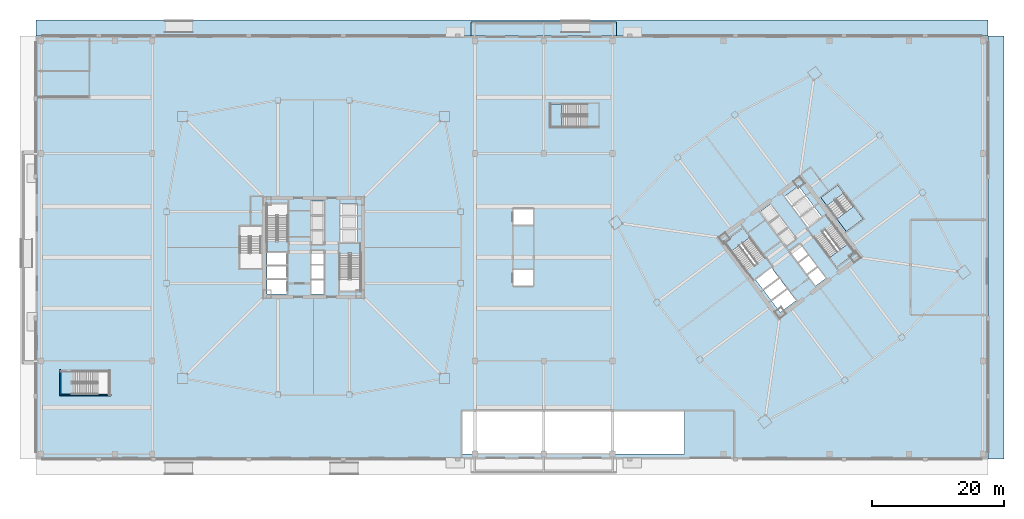
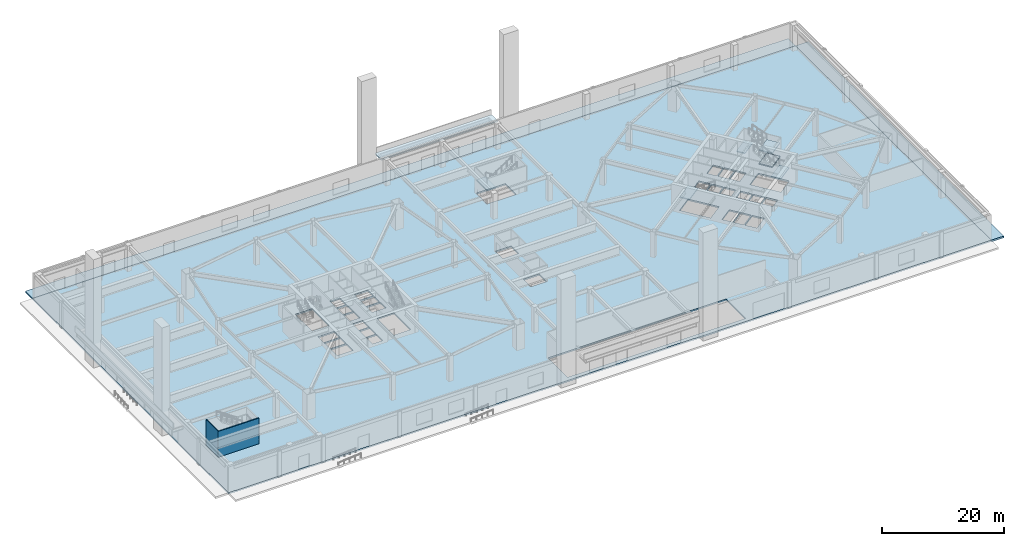
# One storey, part 7 of 26: 10 slabs, 2 walls, 4 elements without a shape of their own.
"""IFC4 building model written with IfcOpenShell, lengths in metres."""

import ifcopenshell
import ifcopenshell.guid

model = None  # the IFC model being written
_history = None  # IfcOwnerHistory: only IFC2X3 demands one
_inside = {}  # id of a spatial element -> (the spatial element, [elements in it])
_under = {}  # id of a project, library or spatial element -> (it, [spatial elements below it])
_declared = {}  # id of a project -> (the project, [libraries it declares])
_typed = {}  # id of a type object -> (the type object, [elements of that type])
_made_of = {}  # id of a material, layer set ... -> (it, [elements and type objects made of it])


def new_model(schema):
    """Start an empty IFC model of exactly this schema.

    Asked for "IFC4X3", IfcOpenShell would pick the latest addendum, in which some entities
    have other attributes; the version numbers below select the first issue.
    IFC2X3 requires an IfcOwnerHistory on every rooted entity: one is made here for all.
    """
    global model, _history
    if schema == "IFC4X3":
        model = ifcopenshell.file(schema_version=(4, 3, 0, 0))
    else:
        model = ifcopenshell.file(schema=schema)
    _inside.clear()
    _under.clear()
    _declared.clear()
    _typed.clear()
    _made_of.clear()
    _history = None
    if model.schema == "IFC2X3":
        org = make("IfcOrganization", Name="unknown")
        user = make(
            "IfcPersonAndOrganization",
            ThePerson=make("IfcPerson", FamilyName="unknown"),
            TheOrganization=org,
        )
        app = make(
            "IfcApplication",
            ApplicationDeveloper=org,
            Version="unknown",
            ApplicationFullName="unknown",
            ApplicationIdentifier="unknown",
        )
        _history = make(
            "IfcOwnerHistory",
            OwningUser=user,
            OwningApplication=app,
            ChangeAction="ADDED",
            CreationDate=0,
        )
    return model


def make(cls, **values):
    """One entity of the class cls with the attributes given. An attribute that is None is left unset."""
    return model.create_entity(
        cls, **{name: value for name, value in values.items() if value is not None}
    )


def rooted(cls, **values):
    """An entity with a GlobalId (a new one), such as an element, a storey or a relation."""
    return make(cls, GlobalId=ifcopenshell.guid.new(), OwnerHistory=_history, **values)


def si_unit(unit_type, name, prefix=None):
    """IfcSIUnit, for example si_unit("LENGTHUNIT", "METRE", prefix="MILLI")."""
    return make("IfcSIUnit", UnitType=unit_type, Prefix=prefix, Name=name)


def assignment(units):
    """IfcUnitAssignment: the units of a project."""
    return None if units is None else make("IfcUnitAssignment", Units=units)


def point(xyz):
    """IfcCartesianPoint."""
    return None if xyz is None else make("IfcCartesianPoint", Coordinates=xyz)


def direction(xyz):
    """IfcDirection."""
    return None if xyz is None else make("IfcDirection", DirectionRatios=xyz)


def frame(location, z_axis=None, x_axis=None):
    """IfcAxis2Placement3D, a coordinate frame: its origin and axes. An axis left out is left unset."""
    return make(
        "IfcAxis2Placement3D",
        Location=point(location),
        Axis=direction(z_axis),
        RefDirection=direction(x_axis),
    )


def frame_2d(location, x_axis=None):
    """IfcAxis2Placement2D, a coordinate frame in the plane: its origin and x axis."""
    return make(
        "IfcAxis2Placement2D", Location=point(location), RefDirection=direction(x_axis)
    )


def origin():
    """The frame at (0, 0, 0) with its axes left unset."""
    return frame((0.0, 0.0, 0.0))


def place(relative_to, where):
    """IfcLocalPlacement: puts the frame where relative to a parent placement (None: the world)."""
    return make(
        "IfcLocalPlacement", PlacementRelTo=relative_to, RelativePlacement=where
    )


def context(
    kind, dimensions, precision=None, world=None, true_north=None, identifier=None
):
    """IfcGeometricRepresentationContext, for example the 3D "Model" context."""
    return make(
        "IfcGeometricRepresentationContext",
        ContextIdentifier=identifier,
        ContextType=kind,
        CoordinateSpaceDimension=dimensions,
        Precision=precision,
        WorldCoordinateSystem=world,
        TrueNorth=true_north,
    )


def subcontext(parent, identifier, kind, view, scale=None):
    """IfcGeometricRepresentationSubContext, for example "Body" below "Model"."""
    return make(
        "IfcGeometricRepresentationSubContext",
        ContextIdentifier=identifier,
        ContextType=kind,
        ParentContext=parent,
        TargetScale=scale,
        TargetView=view,
    )


def project(units=None, contexts=None):
    """IfcProject with its units and contexts."""
    return rooted(
        "IfcProject",
        Name="project",
        RepresentationContexts=contexts,
        UnitsInContext=assignment(units),
    )


def spatial(cls, under=None, at=None, **own):
    """A site, building, storey or space (cls), placed at a placement, below another one or the project."""
    s = rooted(cls, ObjectPlacement=at, **own)
    if under is not None:
        _under.setdefault(under.id(), (under, []))[1].append(s)
    return s


def polyline(points):
    """IfcPolyline through the points."""
    return make("IfcPolyline", Points=[point(p) for p in points])


def profile(cls, at=None, kind="AREA", **sizes):
    """A parametric profile (cls). Its sizes go by their IFC names, for example OverallWidth=200.0."""
    return make(cls, ProfileType=kind, Position=at, **sizes)


def rectangle(**sizes):
    """IfcRectangleProfileDef."""
    return profile("IfcRectangleProfileDef", **sizes)


def outline(outer, holes=None, kind="AREA"):
    """IfcArbitraryClosedProfileDef: a profile drawn as a closed curve; with holes, ...WithVoids."""
    if holes is None:
        return make("IfcArbitraryClosedProfileDef", ProfileType=kind, OuterCurve=outer)
    return make(
        "IfcArbitraryProfileDefWithVoids",
        ProfileType=kind,
        OuterCurve=outer,
        InnerCurves=holes,
    )


def extrude(swept, where, along, depth):
    """IfcExtrudedAreaSolid: the profile swept, set in the frame where, extruded along a direction by depth."""
    return make(
        "IfcExtrudedAreaSolid",
        SweptArea=swept,
        Position=where,
        ExtrudedDirection=direction(along),
        Depth=depth,
    )


def shape(context_of_items, identifier, shape_type, items):
    """IfcShapeRepresentation: the items that make up one representation, for example the "Body"."""
    return make(
        "IfcShapeRepresentation",
        ContextOfItems=context_of_items,
        RepresentationIdentifier=identifier,
        RepresentationType=shape_type,
        Items=items,
    )


def material(Name=None, Category=None):
    """IfcMaterial."""
    return make("IfcMaterial", Name=Name, Category=Category)


def layer(
    of_material, thickness, ventilated=None, Name=None, Category=None, Priority=None
):
    """IfcMaterialLayer: one layer of a wall or slab, of a material (None: an air gap)."""
    return make(
        "IfcMaterialLayer",
        Material=of_material,
        LayerThickness=thickness,
        IsVentilated=ventilated,
        Name=Name,
        Category=Category,
        Priority=Priority,
    )


def layer_set(layers, Name=None):
    """IfcMaterialLayerSet."""
    return make("IfcMaterialLayerSet", MaterialLayers=layers, LayerSetName=Name)


def made_of(thing, what):
    """Note that an element or type object is made of a material, layer set ...; save() writes the relation."""
    if what is not None:
        _made_of.setdefault(what.id(), (what, []))[1].append(thing)
    return thing


def type_object(cls, material=None, **own):
    """A type object (cls), such as IfcWallType, which elements share."""
    return made_of(rooted(cls, **own), material)


def element(
    cls,
    number,
    at=None,
    inside=None,
    cuts=None,
    type_object=None,
    material=None,
    context=None,
    identifier="Body",
    shape_type=None,
    held_by="IfcProductDefinitionShape",
    body=None,
    shapes=None,
    **own,
):
    """One element of the class cls, such as IfcWall. Its Tag is "e" and its number.

    at: its placement. inside: the storey or other place that contains it. cuts: it is an
    opening in that element (IfcRelVoidsElement). A single representation is given by context,
    identifier, shape_type and body (its items); several are given by shapes. held_by: the class
    of the entity that holds the representations. save() writes the other relations.
    """
    e = rooted(cls, Tag="e%d" % number, ObjectPlacement=at, **own)
    if body is not None:
        shapes = [shape(context, identifier, shape_type, body)]
    if shapes is not None:
        e.Representation = make(held_by, Representations=shapes)
    if inside is not None:
        _inside.setdefault(inside.id(), (inside, []))[1].append(e)
    if cuts is not None:
        rooted(
            "IfcRelVoidsElement", RelatingBuildingElement=cuts, RelatedOpeningElement=e
        )
    if type_object is not None:
        _typed.setdefault(type_object.id(), (type_object, []))[1].append(e)
    return made_of(e, material)


def aggregate(whole, parts):
    """IfcRelAggregates: a whole, such as a stair, and the parts it consists of."""
    return rooted("IfcRelAggregates", RelatingObject=whole, RelatedObjects=parts)


def save(model, path):
    """Write the relations noted so far, then the file.

    IfcRelAggregates (storeys below a building ...), IfcRelContainedInSpatialStructure (elements
    in a storey), IfcRelDefinesByType, IfcRelAssociatesMaterial and IfcRelDeclares: one each for
    every whole, place, type object, material and project.
    """
    for whole, parts in _under.values():
        aggregate(whole, parts)
    for where, things in _inside.values():
        rooted(
            "IfcRelContainedInSpatialStructure",
            RelatedElements=things,
            RelatingStructure=where,
        )
    for kind, things in _typed.values():
        rooted("IfcRelDefinesByType", RelatedObjects=things, RelatingType=kind)
    for what, things in _made_of.values():
        rooted("IfcRelAssociatesMaterial", RelatedObjects=things, RelatingMaterial=what)
    for by, libraries in _declared.values():
        rooted("IfcRelDeclares", RelatingContext=by, RelatedDefinitions=libraries)
    model.write(path)


model = new_model("IFC4")

# Units and contexts
model_context = context("Model", 3, precision=1e-05, world=origin(), true_north=direction((0.0, 1.0)))
body_context = subcontext(model_context, "Body", "Model", "MODEL_VIEW")
ifc_project = project(units=[si_unit("LENGTHUNIT", "METRE"), si_unit("AREAUNIT", "SQUARE_METRE"), si_unit("VOLUMEUNIT", "CUBIC_METRE"), si_unit("PLANEANGLEUNIT", "RADIAN"), si_unit("MASSUNIT", "GRAM", prefix="KILO")], contexts=[model_context])

# Site, building, storey
site_placement = place(None, origin())
site = spatial("IfcSite", under=ifc_project, at=site_placement, CompositionType="ELEMENT")
building_placement = place(site_placement, origin())
building = spatial("IfcBuilding", under=site, at=building_placement, Name="Tashvorn Skyway Center", CompositionType="ELEMENT")
storey_placement = place(building_placement, origin())
storey = spatial("IfcBuildingStorey", under=building, at=storey_placement, Name="L00", CompositionType="ELEMENT", Elevation=0.0)

# Slabs
ifc_material_1 = material(Name="Concrete C40/50", Category="concrete")
ifc_layer_1 = layer(ifc_material_1, 0.35009765625)
ifc_layer_set_1 = layer_set([ifc_layer_1], Name="Concrete C40/50")
slab_type_1 = type_object("IfcSlabType", Name="SLAB-APRON-350", PredefinedType="BASESLAB", material=ifc_layer_set_1)
slab_1_placement = place(storey_placement, frame((0.0, 0.0, -0.35009765625)))
element("IfcSlab", 1, at=slab_1_placement, inside=storey, type_object=slab_type_1, Name="L00 North Boulevard Forecourt Paving", PredefinedType="BASESLAB", context=body_context, shape_type="SweptSolid", body=[
    extrude(outline(polyline([(0.0, 64.0), (144.0, 64.0), (144.0, 66.39990234375), (0.0, 66.39990234375), (0.0, 64.0)])), origin(), (0.0, 0.0, 1.0), 0.35009765625),
])
slab_2_placement = place(storey_placement, frame((0.0, 0.0, -0.35009765625)))
element("IfcSlab", 2, at=slab_2_placement, inside=storey, type_object=slab_type_1, Name="L00 East Service Apron Paving", PredefinedType="BASESLAB", context=body_context, shape_type="SweptSolid", body=[
    extrude(outline(polyline([(144.0, 0.0), (146.39990234375, 0.0), (146.39990234375, 64.0), (144.0, 64.0), (144.0, 0.0)])), origin(), (0.0, 0.0, 1.0), 0.35009765625),
])
ifc_material_2 = material(Name="Concrete C50/60", Category="concrete")
ifc_layer_2 = layer(ifc_material_2, 0.300048828125)
ifc_layer_set_2 = layer_set([ifc_layer_2], Name="Concrete C50/60")
slab_type_2 = type_object("IfcSlabType", Name="SLAB-FLR-300", PredefinedType="FLOOR", material=ifc_layer_set_2)
slab_3_placement = place(storey_placement, frame((0.0, 0.0, -0.300048828125)))
element("IfcSlab", 3, at=slab_3_placement, inside=storey, type_object=slab_type_2, Name="L00 Podium Composite Structural Floor Slab", PredefinedType="FLOOR", context=body_context, shape_type="SweptSolid", body=[
    extrude(outline(polyline([(0.0, 0.0), (144.0, 0.0), (144.0, 64.0), (0.0, 64.0), (0.0, 0.0)]), holes=[polyline([(38.10009765625, 33.080078125), (38.10009765625, 38.60009765625), (34.89990234375, 38.60009765625), (34.89990234375, 33.080078125), (38.10009765625, 33.080078125)]), polyline([(45.89990234375, 30.919921875), (45.89990234375, 25.39990234375), (49.10009765625, 25.39990234375), (49.10009765625, 30.919921875), (45.89990234375, 30.919921875)]), polyline([(110.23193359375, 30.52392578125), (106.919921875, 34.93994140625), (104.135986328125, 32.85205078125), (107.447998046875, 28.43603515625), (110.23193359375, 30.52392578125)]), polyline([(117.76806640625, 33.47607421875), (121.080078125, 29.06005859375), (123.864013671875, 31.14794921875), (120.552001953125, 35.56396484375), (117.76806640625, 33.47607421875)]), polyline([(5.610107421875, 9.800048828125), (11.10009765625, 9.800048828125), (11.10009765625, 13.300048828125), (5.610107421875, 13.300048828125), (5.610107421875, 9.800048828125)]), polyline([(83.2900390625, 53.699951171875), (77.800048828125, 53.699951171875), (77.800048828125, 50.199951171875), (83.2900390625, 50.199951171875), (83.2900390625, 53.699951171875)]), polyline([(34.949951171875, 29.35009765625), (37.949951171875, 29.35009765625), (37.949951171875, 31.199951171875), (34.949951171875, 31.199951171875), (34.949951171875, 29.35009765625)]), polyline([(34.949951171875, 27.35009765625), (37.949951171875, 27.35009765625), (37.949951171875, 29.199951171875), (34.949951171875, 29.199951171875), (34.949951171875, 27.35009765625)]), polyline([(34.949951171875, 25.0), (37.949951171875, 25.0), (37.949951171875, 27.14990234375), (34.949951171875, 27.14990234375), (34.949951171875, 25.0)]), polyline([(41.64990234375, 25.0), (43.550048828125, 25.0), (43.550048828125, 27.050048828125), (41.64990234375, 27.050048828125), (41.64990234375, 25.0)]), polyline([(41.64990234375, 27.25), (43.550048828125, 27.25), (43.550048828125, 29.300048828125), (41.64990234375, 29.300048828125), (41.64990234375, 27.25)]), polyline([(41.64990234375, 29.5), (43.550048828125, 29.5), (43.550048828125, 31.550048828125), (41.64990234375, 31.550048828125), (41.64990234375, 29.5)]), polyline([(41.64990234375, 32.449951171875), (43.550048828125, 32.449951171875), (43.550048828125, 34.5), (41.64990234375, 34.5), (41.64990234375, 32.449951171875)]), polyline([(41.64990234375, 34.699951171875), (43.550048828125, 34.699951171875), (43.550048828125, 36.75), (41.64990234375, 36.75), (41.64990234375, 34.699951171875)]), polyline([(41.64990234375, 36.949951171875), (43.550048828125, 36.949951171875), (43.550048828125, 39.0), (41.64990234375, 39.0), (41.64990234375, 36.949951171875)]), polyline([(46.050048828125, 32.800048828125), (48.64990234375, 32.800048828125), (48.64990234375, 34.64990234375), (46.050048828125, 34.64990234375), (46.050048828125, 32.800048828125)]), polyline([(46.050048828125, 34.85009765625), (48.64990234375, 34.85009765625), (48.64990234375, 36.699951171875), (46.050048828125, 36.699951171875), (46.050048828125, 34.85009765625)]), polyline([(46.050048828125, 36.89990234375), (48.64990234375, 36.89990234375), (48.64990234375, 38.64990234375), (46.050048828125, 38.64990234375), (46.050048828125, 36.89990234375)]), polyline([(109.949951171875, 25.64990234375), (112.35009765625, 27.449951171875), (111.239990234375, 28.929931640625), (108.840087890625, 27.1298828125), (109.949951171875, 25.64990234375)]), polyline([(111.14990234375, 24.050048828125), (113.550048828125, 25.85009765625), (112.43994140625, 27.330078125), (110.0400390625, 25.530029296875), (111.14990234375, 24.050048828125)]), polyline([(112.56005859375, 22.169921875), (114.9599609375, 23.969970703125), (113.669921875, 25.68994140625), (111.27001953125, 23.889892578125), (112.56005859375, 22.169921875)]), polyline([(117.919921875, 26.18994140625), (119.43994140625, 27.330078125), (118.2099609375, 28.969970703125), (116.68994140625, 27.830078125), (117.919921875, 26.18994140625)]), polyline([(116.570068359375, 27.989990234375), (118.090087890625, 29.1298828125), (116.860107421875, 30.77001953125), (115.340087890625, 29.6298828125), (116.570068359375, 27.989990234375)]), polyline([(115.219970703125, 29.7900390625), (116.739990234375, 30.929931640625), (115.510009765625, 32.570068359375), (113.989990234375, 31.429931640625), (115.219970703125, 29.7900390625)]), polyline([(113.449951171875, 32.14990234375), (114.969970703125, 33.2900390625), (113.739990234375, 34.929931640625), (112.219970703125, 33.7900390625), (113.449951171875, 32.14990234375)]), polyline([(112.10009765625, 33.949951171875), (113.6201171875, 35.090087890625), (112.389892578125, 36.72998046875), (110.8701171875, 35.590087890625), (112.10009765625, 33.949951171875)]), polyline([(110.75, 35.75), (112.27001953125, 36.889892578125), (111.0400390625, 38.530029296875), (109.52001953125, 37.389892578125), (110.75, 35.75)]), polyline([(116.760009765625, 35.070068359375), (118.840087890625, 36.6298828125), (117.72998046875, 38.110107421875), (115.64990234375, 36.550048828125), (116.760009765625, 35.070068359375)]), polyline([(115.530029296875, 36.7099609375), (117.610107421875, 38.27001953125), (116.5, 39.75), (114.419921875, 38.18994140625), (115.530029296875, 36.7099609375)]), polyline([(114.300048828125, 38.35009765625), (116.3798828125, 39.909912109375), (115.330078125, 41.31005859375), (113.25, 39.75), (114.300048828125, 38.35009765625)]), polyline([(72.199951171875, 26.199951171875), (75.199951171875, 26.199951171875), (75.199951171875, 28.60009765625), (72.199951171875, 28.60009765625), (72.199951171875, 26.199951171875)]), polyline([(72.199951171875, 35.39990234375), (75.199951171875, 35.39990234375), (75.199951171875, 37.800048828125), (72.199951171875, 37.800048828125), (72.199951171875, 35.39990234375)]), polyline([(64.5, 0.800048828125), (98.10009765625, 0.800048828125), (98.10009765625, 7.199951171875), (64.5, 7.199951171875), (64.5, 0.800048828125)])]), origin(), (0.0, 0.0, 1.0), 0.300048828125),
])

# Stair, slab
stair_type_1 = type_object("IfcStairType", Name="STAIR-CORE-1500", PredefinedType="HALF_TURN_STAIR", material=ifc_material_1)
stair_1_placement = place(storey_placement, origin())
stair_1 = element("IfcStair", 4, at=stair_1_placement, inside=storey, type_object=stair_type_1, Name="L00 Tower 2 Exit Stair 1", PredefinedType="HALF_TURN_STAIR")
ifc_layer_3 = layer(ifc_material_1, 0.199951171875)
ifc_layer_set_3 = layer_set([ifc_layer_3], Name="Concrete C40/50")
slab_type_3 = type_object("IfcSlabType", Name="SLAB-LAND-200", PredefinedType="LANDING", material=ifc_layer_set_3)
slab_4_placement = place(storey_placement, frame((0.0, 0.0, 2.5)))
slab_4 = element("IfcSlab", 5, at=slab_4_placement, type_object=slab_type_3, Name="ST-T2-1 landing 1", PredefinedType="LANDING", context=body_context, shape_type="SweptSolid", body=[
    extrude(outline(polyline([(107.980712890625, 33.525634765625), (106.919921875, 34.93994140625), (104.135986328125, 32.85205078125), (105.19677734375, 31.4375), (107.980712890625, 33.525634765625)])), origin(), (0.0, 0.0, 1.0), 0.199951171875),
])
aggregate(stair_1, [slab_4])

stair_2_placement = place(storey_placement, origin())
stair_2 = element("IfcStair", 6, at=stair_2_placement, inside=storey, type_object=stair_type_1, Name="L00 Tower 2 Exit Stair 2", PredefinedType="HALF_TURN_STAIR")
slab_5_placement = place(storey_placement, frame((0.0, 0.0, 2.5)))
slab_5 = element("IfcSlab", 7, at=slab_5_placement, type_object=slab_type_3, Name="ST-T2-2 landing 1", PredefinedType="LANDING", context=body_context, shape_type="SweptSolid", body=[
    extrude(outline(polyline([(120.019287109375, 30.474365234375), (121.080078125, 29.06005859375), (123.864013671875, 31.14794921875), (122.80322265625, 32.5625), (120.019287109375, 30.474365234375)])), origin(), (0.0, 0.0, 1.0), 0.199951171875),
])
aggregate(stair_2, [slab_5])

# Stair, slabs
stair_3_placement = place(storey_placement, origin())
stair_3 = element("IfcStair", 8, at=stair_3_placement, inside=storey, type_object=stair_type_1, Name="L00 Tower 2 Exit Stair 3", PredefinedType="HALF_TURN_STAIR")
slab_6_placement = place(storey_placement, frame((0.0, 0.0, 1.14990234375)))
slab_6 = element("IfcSlab", 9, at=slab_6_placement, type_object=slab_type_3, Name="ST-T2-3 landing 1", PredefinedType="LANDING", context=body_context, shape_type="SweptSolid", body=[
    extrude(outline(polyline([(121.123291015625, 36.302490234375), (122.5439453125, 34.407958984375), (125.10400390625, 36.327880859375), (123.68310546875, 38.222412109375), (121.123291015625, 36.302490234375)])), origin(), (0.0, 0.0, 1.0), 0.2001953125),
])
slab_7_placement = place(storey_placement, frame((0.0, 0.0, 2.5)))
slab_7 = element("IfcSlab", 10, at=slab_7_placement, type_object=slab_type_3, Name="ST-T2-3 landing 2", PredefinedType="LANDING", context=body_context, shape_type="SweptSolid", body=[
    extrude(outline(polyline([(118.69921875, 39.534423828125), (119.620849609375, 38.3056640625), (122.180908203125, 40.2255859375), (121.25927734375, 41.454345703125), (118.69921875, 39.534423828125)])), origin(), (0.0, 0.0, 1.0), 0.199951171875),
])
slab_8_placement = place(storey_placement, frame((0.0, 0.0, 3.85009765625)))
slab_8 = element("IfcSlab", 11, at=slab_8_placement, type_object=slab_type_3, Name="ST-T2-3 landing 3", PredefinedType="LANDING", context=body_context, shape_type="SweptSolid", body=[
    extrude(outline(polyline([(121.123291015625, 36.302490234375), (122.5439453125, 34.407958984375), (125.10400390625, 36.327880859375), (123.68310546875, 38.222412109375), (121.123291015625, 36.302490234375)])), origin(), (0.0, 0.0, 1.0), 0.199951171875),
])
aggregate(stair_3, [slab_6, slab_7, slab_8])

# Stair, slab
stair_type_2 = type_object("IfcStairType", Name="STAIR-POD-1650", PredefinedType="HALF_TURN_STAIR", material=ifc_material_1)
stair_4_placement = place(storey_placement, origin())
stair_4 = element("IfcStair", 12, at=stair_4_placement, inside=storey, type_object=stair_type_2, Name="L00 Podium East Exit Stair 2", PredefinedType="HALF_TURN_STAIR")
slab_9_placement = place(storey_placement, frame((0.0, 0.0, 2.5)))
slab_9 = element("IfcSlab", 13, at=slab_9_placement, type_object=slab_type_3, Name="ST-POD-2 landing 1", PredefinedType="LANDING", context=body_context, shape_type="SweptSolid", body=[
    extrude(outline(polyline([(79.530029296875, 53.699951171875), (77.800048828125, 53.699951171875), (77.800048828125, 50.199951171875), (79.530029296875, 50.199951171875), (79.530029296875, 53.699951171875)])), origin(), (0.0, 0.0, 1.0), 0.199951171875),
])
aggregate(stair_4, [slab_9])

# Slab
ifc_layer_4 = layer(ifc_material_1, 0.25)
ifc_layer_set_4 = layer_set([ifc_layer_4], Name="Concrete C40/50")
slab_type_4 = type_object("IfcSlabType", Name="SLAB-ROOF-250", PredefinedType="ROOF", material=ifc_layer_set_4)
slab_10_placement = place(storey_placement, frame((0.0, 0.0, 4.449951171875)))
element("IfcSlab", 14, at=slab_10_placement, inside=storey, type_object=slab_type_4, Name="L00 North Station Entrance Marquee Canopy", PredefinedType="ROOF", context=body_context, shape_type="SweptSolid", body=[
    extrude(outline(polyline([(65.800048828125, 64.0), (87.800048828125, 64.0), (87.800048828125, 66.10009765625), (65.800048828125, 66.10009765625), (65.800048828125, 64.0)])), origin(), (0.0, 0.0, 1.0), 0.25),
])

# Walls
ifc_layer_5 = layer(ifc_material_1, 0.199951171875)
ifc_layer_set_5 = layer_set([ifc_layer_5], Name="Concrete C40/50")
wall_type = type_object("IfcWallType", Name="WALL-STSHF-200", PredefinedType="SHEAR", material=ifc_layer_set_5)
wall_1_placement = place(storey_placement, frame((3.60009765625, 9.699951171875, 0.0), z_axis=(0.0, 0.0, 1.0), x_axis=(1.0, 0.0, 0.0)))
element("IfcWall", 15, at=wall_1_placement, inside=storey, type_object=wall_type, Name="L00 Podium Stair 1 South Wall", PredefinedType="SHEAR", context=body_context, shape_type="SweptSolid", body=[
    extrude(rectangle(XDim=7.699951171875, YDim=0.199951171875, at=frame_2d((3.85009765625, 0.0))), origin(), (0.0, 0.0, 1.0), 5.139892578125),
])
wall_2_placement = place(storey_placement, frame((3.699951171875, 9.60009765625, 0.0), z_axis=(0.0, 0.0, 1.0), x_axis=(0.0, 1.0, 0.0)))
element("IfcWall", 16, at=wall_2_placement, inside=storey, type_object=wall_type, Name="L00 Podium Stair 1 West Wall", PredefinedType="SHEAR", context=body_context, shape_type="SweptSolid", body=[
    extrude(rectangle(XDim=3.89990234375, YDim=0.199951171875, at=frame_2d((1.949951171875, 0.0))), origin(), (0.0, 0.0, 1.0), 5.139892578125),
])

save(model, "model.ifc")
